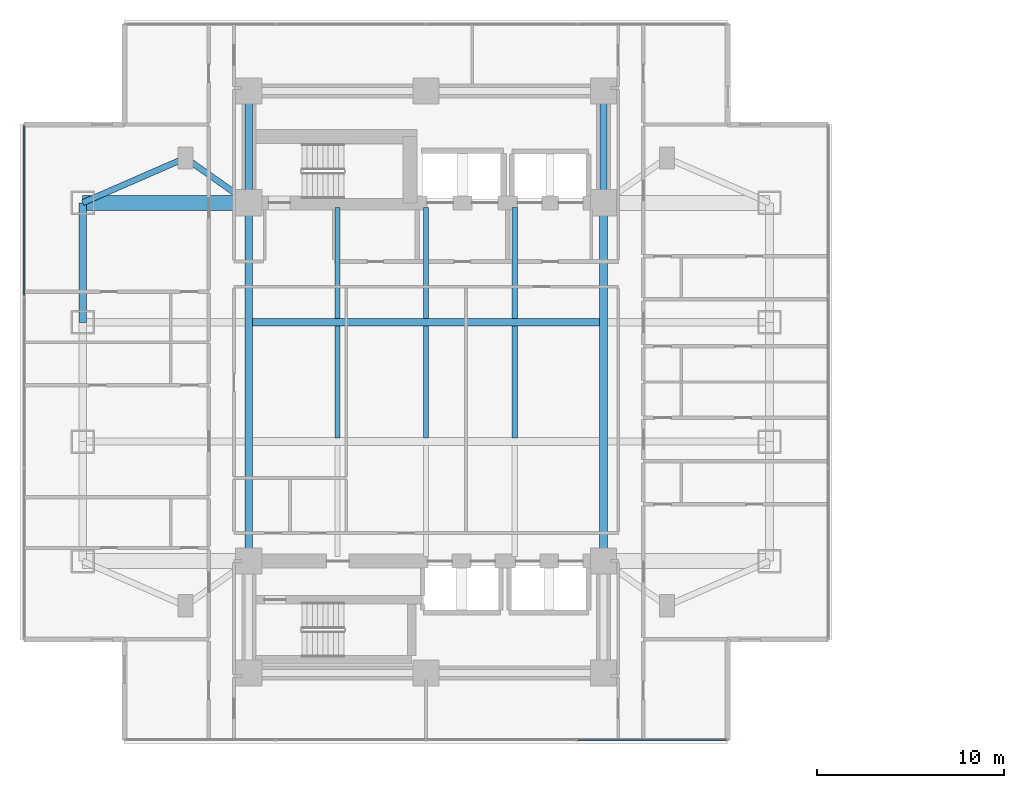
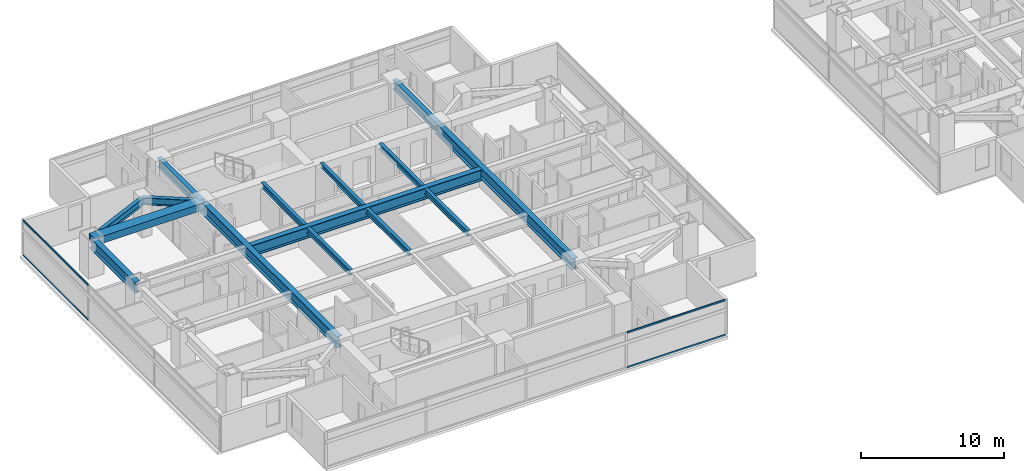
# One storey, part 3 of 23: 15 beams, 4 members, 2 elements without a shape of their own.
"""IFC4 building model written with IfcOpenShell, lengths in metres."""

from ifc_helpers import new_model, si_unit, direction, frame, origin, origin_2d, place, context, subcontext, project, spatial, rectangle, i_section, extrude, material, material_profile, profile_set, type_object, element, aggregate, save


model = new_model("IFC4")

# Units and contexts
model_context = context("Model", 3, precision=1e-05, world=origin(), true_north=direction((0.0, 1.0)))
body_context = subcontext(model_context, "Body", "Model", "MODEL_VIEW")
ifc_project = project(units=[si_unit("LENGTHUNIT", "METRE"), si_unit("AREAUNIT", "SQUARE_METRE"), si_unit("VOLUMEUNIT", "CUBIC_METRE"), si_unit("PLANEANGLEUNIT", "RADIAN"), si_unit("MASSUNIT", "GRAM", prefix="KILO")], contexts=[model_context])

# Site, building, storey
site_placement = place(None, origin())
site = spatial("IfcSite", under=ifc_project, at=site_placement, CompositionType="ELEMENT")
building_placement = place(site_placement, origin())
building = spatial("IfcBuilding", under=site, at=building_placement, Name="Mirazonda Arch Towers", CompositionType="ELEMENT")
storey_placement = place(building_placement, frame((0.0, 0.0, 29.0)))
storey = spatial("IfcBuildingStorey", under=building, at=storey_placement, Name="L07", CompositionType="ELEMENT", Elevation=29.0)

# Beams
ifc_material_1 = material(Name="Steel ASTM A992 Grade 50", Category="steel")
ifc_material_profile_1 = material_profile(ifc_material_1, i_section(OverallWidth=0.41796875, OverallDepth=0.927001953125, WebThickness=0.019287109375, FlangeThickness=0.031982421875, at=origin_2d()), Name="W36X231")
ifc_profile_set_1 = profile_set([ifc_material_profile_1], Name="Steel ASTM A992 Grade 50")
beam_type_1 = type_object("IfcBeamType", Name="BM-EXT-W36X231", PredefinedType="USERDEFINED", material=ifc_profile_set_1)
beam_1_placement = place(storey_placement, frame((2.10009765625, 31.199951171875, 2.596435546875), z_axis=(0.0, 1.0, 0.0), x_axis=(-1.0, 0.0, 0.0)))
element("IfcBeam", 1, at=beam_1_placement, inside=storey, type_object=beam_type_1, Name="L07 Floor Beam BM-T1-L07-NS-W-31", ObjectType="GIRDER", PredefinedType="USERDEFINED", context=body_context, shape_type="SweptSolid", body=[
    extrude(i_section(OverallWidth=0.41796875, OverallDepth=0.927001953125, WebThickness=0.019287109375, FlangeThickness=0.031982421875, at=origin_2d()), origin(), (0.0, 0.0, 1.0), 6.400146484375),
])
ifc_material_profile_2 = material_profile(ifc_material_1, i_section(OverallWidth=0.280029296875, OverallDepth=0.462890625, WebThickness=0.0107421875, FlangeThickness=0.017333984375, at=origin_2d()), Name="W18X76")
ifc_profile_set_2 = profile_set([ifc_material_profile_2], Name="Steel ASTM A992 Grade 50")
beam_type_2 = type_object("IfcBeamType", Name="BM-INT-W18X76", PredefinedType="JOIST", material=ifc_profile_set_2)
beam_2_placement = place(storey_placement, frame((15.75, 31.407470703125, 2.82861328125), z_axis=(0.0, 1.0, 0.0), x_axis=(-1.0, 0.0, 0.0)))
element("IfcBeam", 2, at=beam_2_placement, inside=storey, type_object=beam_type_2, Name="L07 Floor Beam BM-T1-L07-J-157-31", PredefinedType="JOIST", context=body_context, shape_type="SweptSolid", body=[
    extrude(i_section(OverallWidth=0.280029296875, OverallDepth=0.462890625, WebThickness=0.0107421875, FlangeThickness=0.017333984375, at=origin_2d()), origin(), (0.0, 0.0, 1.0), 5.95263671875),
])
beam_3_placement = place(storey_placement, frame((15.75, 25.007568359375, 2.82861328125), z_axis=(0.0, 1.0, 0.0), x_axis=(-1.0, 0.0, 0.0)))
element("IfcBeam", 3, at=beam_3_placement, inside=storey, type_object=beam_type_2, Name="L07 Floor Beam BM-T1-L07-J-157-24", PredefinedType="JOIST", context=body_context, shape_type="SweptSolid", body=[
    extrude(i_section(OverallWidth=0.280029296875, OverallDepth=0.462890625, WebThickness=0.0107421875, FlangeThickness=0.017333984375, at=origin_2d()), origin(), (0.0, 0.0, 1.0), 5.98486328125),
])
beam_4_placement = place(storey_placement, frame((20.5, 31.407470703125, 2.82861328125), z_axis=(0.0, 1.0, 0.0), x_axis=(-1.0, 0.0, 0.0)))
element("IfcBeam", 4, at=beam_4_placement, inside=storey, type_object=beam_type_2, Name="L07 Floor Beam BM-T1-L07-J-205-31", PredefinedType="JOIST", context=body_context, shape_type="SweptSolid", body=[
    extrude(i_section(OverallWidth=0.280029296875, OverallDepth=0.462890625, WebThickness=0.0107421875, FlangeThickness=0.017333984375, at=origin_2d()), origin(), (0.0, 0.0, 1.0), 5.95263671875),
])
beam_5_placement = place(storey_placement, frame((20.5, 25.007568359375, 2.82861328125), z_axis=(0.0, 1.0, 0.0), x_axis=(-1.0, 0.0, 0.0)))
element("IfcBeam", 5, at=beam_5_placement, inside=storey, type_object=beam_type_2, Name="L07 Floor Beam BM-T1-L07-J-205-24", PredefinedType="JOIST", context=body_context, shape_type="SweptSolid", body=[
    extrude(i_section(OverallWidth=0.280029296875, OverallDepth=0.462890625, WebThickness=0.0107421875, FlangeThickness=0.017333984375, at=origin_2d()), origin(), (0.0, 0.0, 1.0), 5.98486328125),
])
beam_6_placement = place(storey_placement, frame((25.25, 31.407470703125, 2.82861328125), z_axis=(0.0, 1.0, 0.0), x_axis=(-1.0, 0.0, 0.0)))
element("IfcBeam", 6, at=beam_6_placement, inside=storey, type_object=beam_type_2, Name="L07 Floor Beam BM-T1-L07-J-252-31", PredefinedType="JOIST", context=body_context, shape_type="SweptSolid", body=[
    extrude(i_section(OverallWidth=0.280029296875, OverallDepth=0.462890625, WebThickness=0.0107421875, FlangeThickness=0.017333984375, at=origin_2d()), origin(), (0.0, 0.0, 1.0), 5.95263671875),
])
beam_7_placement = place(storey_placement, frame((25.25, 25.007568359375, 2.82861328125), z_axis=(0.0, 1.0, 0.0), x_axis=(-1.0, 0.0, 0.0)))
element("IfcBeam", 7, at=beam_7_placement, inside=storey, type_object=beam_type_2, Name="L07 Floor Beam BM-T1-L07-J-252-24", PredefinedType="JOIST", context=body_context, shape_type="SweptSolid", body=[
    extrude(i_section(OverallWidth=0.280029296875, OverallDepth=0.462890625, WebThickness=0.0107421875, FlangeThickness=0.017333984375, at=origin_2d()), origin(), (0.0, 0.0, 1.0), 5.98486328125),
])
ifc_material_profile_3 = material_profile(ifc_material_1, i_section(OverallWidth=0.324951171875, OverallDepth=0.615966796875, WebThickness=0.013916015625, FlangeThickness=0.021484375, at=origin_2d()), Name="W24X117")
ifc_profile_set_3 = profile_set([ifc_material_profile_3], Name="Steel ASTM A992 Grade 50")
beam_type_3 = type_object("IfcBeamType", Name="BM-INT-W24X117", PredefinedType="BEAM", material=ifc_profile_set_3)
beam_8_placement = place(storey_placement, frame((7.60009765625, 40.0, 2.751953125), z_axis=(0.816971114901, -0.576678591087, 0.0), x_axis=(0.576678591087, 0.816971114901, 0.0)))
element("IfcBeam", 8, at=beam_8_placement, inside=storey, type_object=beam_type_3, Name="L07 Floor Beam BM-T1-L07-PL-NW1", PredefinedType="BEAM", context=body_context, shape_type="SweptSolid", body=[
    extrude(i_section(OverallWidth=0.324951171875, OverallDepth=0.615966796875, WebThickness=0.013916015625, FlangeThickness=0.021484375, at=origin_2d()), origin(), (0.0, 0.0, 1.0), 4.16162109375),
])
beam_9_placement = place(storey_placement, frame((7.60009765625, 40.0, 2.751953125), z_axis=(-0.916545343703, -0.399930785183, 0.0), x_axis=(0.399930785183, -0.916545343703, 0.0)))
element("IfcBeam", 9, at=beam_9_placement, inside=storey, type_object=beam_type_3, Name="L07 Floor Beam BM-T1-L07-PL-NW2", PredefinedType="BEAM", context=body_context, shape_type="SweptSolid", body=[
    extrude(i_section(OverallWidth=0.324951171875, OverallDepth=0.615966796875, WebThickness=0.013916015625, FlangeThickness=0.021484375, at=origin_2d()), origin(), (0.0, 0.0, 1.0), 6.000732421875),
])
ifc_material_profile_4 = material_profile(ifc_material_1, i_section(OverallWidth=0.381103515625, OverallDepth=0.77294921875, WebThickness=0.0166015625, FlangeThickness=0.027099609375, at=origin_2d()), Name="W30X173")
ifc_profile_set_4 = profile_set([ifc_material_profile_4], Name="Steel ASTM A992 Grade 50")
beam_type_4 = type_object("IfcBeamType", Name="BM-INT-W30X173", PredefinedType="USERDEFINED", material=ifc_profile_set_4)
for number, where, z_axis, x_axis, name in (
    (10, (11.0, 37.60009765625, 2.673583984375), (0.0, 1.0, 0.0), (-1.0, 0.0, 0.0), "L07 Floor Beam BM-T1-L07-CNW"),
    (11, (30.0, 37.60009765625, 2.673583984375), (0.0, 1.0, 0.0), (-1.0, 0.0, 0.0), "L07 Floor Beam BM-T1-L07-CNE"),
):
    element("IfcBeam", number, at=place(storey_placement, frame(where, z_axis=z_axis, x_axis=x_axis)), inside=storey, type_object=beam_type_4, Name=name, ObjectType="GIRDER", PredefinedType="USERDEFINED", context=body_context, shape_type="SweptSolid", body=[
        extrude(i_section(OverallWidth=0.381103515625, OverallDepth=0.77294921875, WebThickness=0.0166015625, FlangeThickness=0.027099609375, at=origin_2d()), origin(), (0.0, 0.0, 1.0), 6.0),
    ])
ifc_material_profile_5 = material_profile(ifc_material_1, i_section(OverallWidth=0.423095703125, OverallDepth=0.947998046875, WebThickness=0.02392578125, FlangeThickness=0.042724609375, at=origin_2d()), Name="W36X302")
ifc_profile_set_5 = profile_set([ifc_material_profile_5], Name="Steel ASTM A992 Grade 50")
beam_type_5 = type_object("IfcBeamType", Name="BM-INT-W36X302", PredefinedType="USERDEFINED", material=ifc_profile_set_5)
beam_10_placement = place(storey_placement, frame((11.21142578125, 31.199951171875, 2.5859375), z_axis=(1.0, 0.0, 0.0), x_axis=(0.0, 1.0, 0.0)))
element("IfcBeam", 12, at=beam_10_placement, inside=storey, type_object=beam_type_5, Name="L07 Floor Beam BM-T1-L07-GC3", ObjectType="GIRDER", PredefinedType="USERDEFINED", context=body_context, shape_type="SweptSolid", body=[
    extrude(i_section(OverallWidth=0.423095703125, OverallDepth=0.947998046875, WebThickness=0.02392578125, FlangeThickness=0.042724609375, at=origin_2d()), origin(), (0.0, 0.0, 1.0), 18.5771484375),
])
for number, where, z_axis, x_axis, name in (
    (13, (11.0, 18.39990234375, 2.5859375), (0.0, 1.0, 0.0), (-1.0, 0.0, 0.0), "L07 Floor Beam BM-T1-L07-NS-CW-FULL"),
    (14, (30.0, 18.39990234375, 2.5859375), (0.0, 1.0, 0.0), (-1.0, 0.0, 0.0), "L07 Floor Beam BM-T1-L07-NS-CE-FULL"),
):
    element("IfcBeam", number, at=place(storey_placement, frame(where, z_axis=z_axis, x_axis=x_axis)), inside=storey, type_object=beam_type_5, Name=name, ObjectType="GIRDER", PredefinedType="USERDEFINED", context=body_context, shape_type="SweptSolid", body=[
        extrude(i_section(OverallWidth=0.423095703125, OverallDepth=0.947998046875, WebThickness=0.02392578125, FlangeThickness=0.042724609375, at=origin_2d()), origin(), (0.0, 0.0, 1.0), 19.2001953125),
    ])
ifc_material_2 = material(Name="Concrete C60/75", Category="concrete")
ifc_material_profile_6 = material_profile(ifc_material_2, rectangle(XDim=0.800048828125, YDim=0.60009765625, at=origin_2d()), Name="RCCB800x600")
ifc_profile_set_6 = profile_set([ifc_material_profile_6], Name="Concrete C60/75")
beam_type_6 = type_object("IfcBeamType", Name="CB-INT-RCCB800x600", PredefinedType="SPANDREL", material=ifc_profile_set_6)
beam_11_placement = place(storey_placement, frame((2.10009765625, 37.60009765625, 2.760009765625), z_axis=(1.0, 0.0, 0.0), x_axis=(0.0, 1.0, 0.0)))
element("IfcBeam", 15, at=beam_11_placement, inside=storey, type_object=beam_type_6, Name="L07 Floor Beam CBC-T1-L07-NW", PredefinedType="SPANDREL", context=body_context, shape_type="SweptSolid", body=[
    extrude(rectangle(XDim=0.800048828125, YDim=0.60009765625, at=origin_2d()), origin(), (0.0, 0.0, 1.0), 8.89990234375),
])

# Curtain wall, members
ifc_material_3 = material(Name="Anodised Aluminium and Low-E Glass", Category="aluminium")
curtain_wall_type = type_object("IfcCurtainWallType", Name="CW-HTL-UNIT", PredefinedType="NOTDEFINED", material=ifc_material_3)
curtain_wall_1_placement = place(storey_placement, origin())
curtain_wall_1 = element("IfcCurtainWall", 16, at=curtain_wall_1_placement, inside=storey, type_object=curtain_wall_type, Name="L07 T1 S Facade CW-L07-T1-S", PredefinedType="NOTDEFINED")
ifc_material_4 = material(Name="Anodised Aluminium Alloy", Category="aluminium")
ifc_material_profile_7 = material_profile(ifc_material_4, rectangle(XDim=0.074951171875, YDim=0.14501953125, at=origin_2d()), Name="ALU-TRAN-75x145")
ifc_profile_set_7 = profile_set([ifc_material_profile_7], Name="Anodised Aluminium Alloy")
member_type = type_object("IfcMemberType", Name="TRAN-CW-HTL-UNIT", PredefinedType="USERDEFINED", material=ifc_profile_set_7)
member_1_placement = place(storey_placement, frame((36.5849609375, 8.823974609375, 0.03759765625), z_axis=(-1.0, 0.0, 0.0), x_axis=(0.0, -1.0, 0.0)))
member_1 = element("IfcMember", 17, at=member_1_placement, type_object=member_type, Name="CW-112 transom 1.1", ObjectType="TRANSOM", PredefinedType="USERDEFINED", context=body_context, shape_type="SweptSolid", body=[
    extrude(rectangle(XDim=0.074951171875, YDim=0.14501953125, at=origin_2d()), origin(), (0.0, 0.0, 1.0), 7.967529296875),
])
member_2_placement = place(storey_placement, frame((36.5849609375, 8.823974609375, 3.00244140625), z_axis=(-1.0, 0.0, 0.0), x_axis=(0.0, -1.0, 0.0)))
member_2 = element("IfcMember", 18, at=member_2_placement, type_object=member_type, Name="CW-112 transom 1.2", ObjectType="TRANSOM", PredefinedType="USERDEFINED", context=body_context, shape_type="SweptSolid", body=[
    extrude(rectangle(XDim=0.074951171875, YDim=0.14501953125, at=origin_2d()), origin(), (0.0, 0.0, 1.0), 7.967529296875),
])
aggregate(curtain_wall_1, [member_1, member_2])

curtain_wall_2_placement = place(storey_placement, origin())
curtain_wall_2 = element("IfcCurtainWall", 19, at=curtain_wall_2_placement, inside=storey, type_object=curtain_wall_type, Name="L07 T1 W Facade CW-L07-T1-W", PredefinedType="NOTDEFINED")
member_3_placement = place(storey_placement, frame((-1.0400390625, 41.720947265625, 0.03759765625), z_axis=(0.0, -1.0, 0.0), x_axis=(1.0, 0.0, 0.0)))
member_3 = element("IfcMember", 20, at=member_3_placement, type_object=member_type, Name="CW-112 transom 1.1", ObjectType="TRANSOM", PredefinedType="USERDEFINED", context=body_context, shape_type="SweptSolid", body=[
    extrude(rectangle(XDim=0.074951171875, YDim=0.14501953125, at=origin_2d()), origin(), (0.0, 0.0, 1.0), 9.084716796875),
])
member_4_placement = place(storey_placement, frame((-1.0400390625, 41.720947265625, 3.00244140625), z_axis=(0.0, -1.0, 0.0), x_axis=(1.0, 0.0, 0.0)))
member_4 = element("IfcMember", 21, at=member_4_placement, type_object=member_type, Name="CW-112 transom 1.2", ObjectType="TRANSOM", PredefinedType="USERDEFINED", context=body_context, shape_type="SweptSolid", body=[
    extrude(rectangle(XDim=0.074951171875, YDim=0.14501953125, at=origin_2d()), origin(), (0.0, 0.0, 1.0), 9.084716796875),
])
aggregate(curtain_wall_2, [member_3, member_4])

save(model, "model.ifc")
